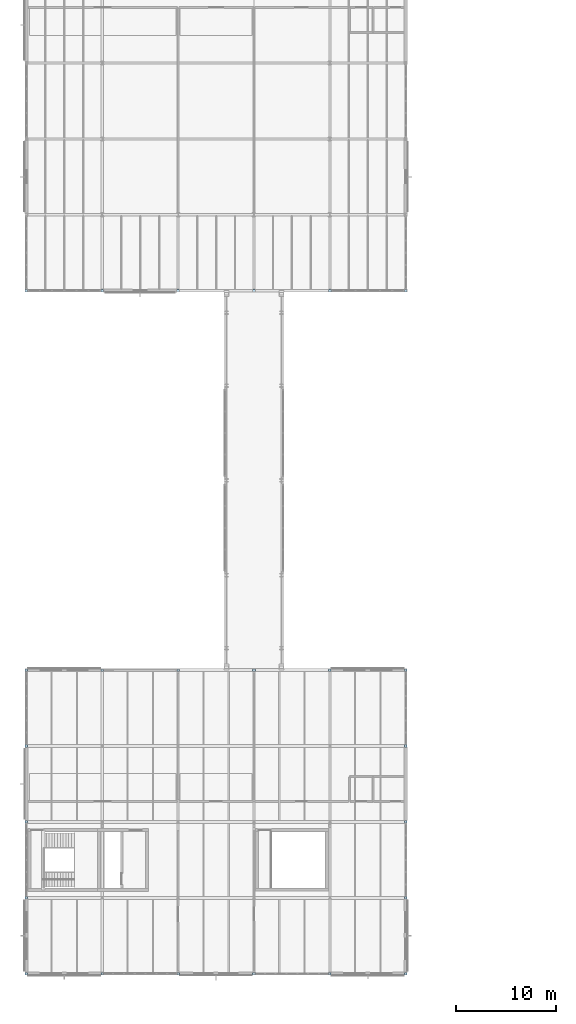
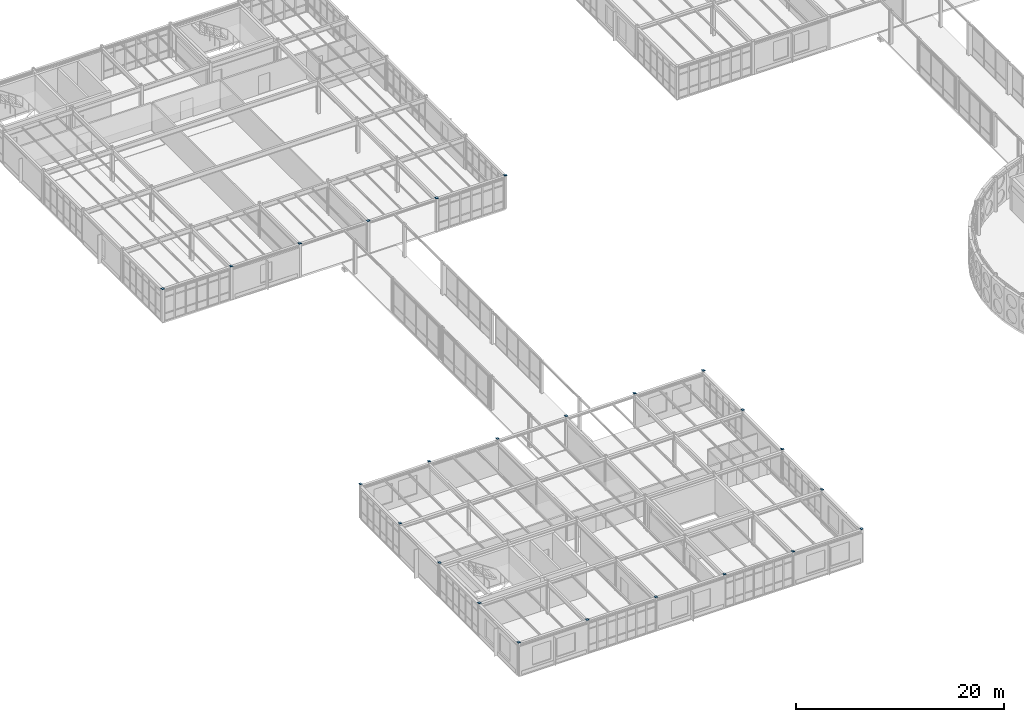
# One storey, part 154 of 189: 24 plates.
"""IFC4 building model written with IfcOpenShell, lengths in metres."""

from ifc_helpers import new_model, si_unit, direction, frame, origin, origin_2d, place, context, subcontext, project, spatial, rectangle, extrude, material, layer, layer_set, type_object, element, save


model = new_model("IFC4")

# Units and contexts
model_context = context("Model", 3, precision=1e-05, world=origin(), true_north=direction((0.0, 1.0)))
body_context = subcontext(model_context, "Body", "Model", "MODEL_VIEW")
ifc_project = project(units=[si_unit("LENGTHUNIT", "METRE"), si_unit("AREAUNIT", "SQUARE_METRE"), si_unit("VOLUMEUNIT", "CUBIC_METRE"), si_unit("PLANEANGLEUNIT", "RADIAN"), si_unit("MASSUNIT", "GRAM", prefix="KILO")], contexts=[model_context])

# Site, building, storey
site_placement = place(None, origin())
site = spatial("IfcSite", under=ifc_project, at=site_placement, CompositionType="ELEMENT")
building_placement = place(site_placement, origin())
building = spatial("IfcBuilding", under=site, at=building_placement, Name="Montecoro Central Library", CompositionType="ELEMENT")
storey_placement = place(building_placement, frame((0.0, 0.0, 9.179931640625)))
storey = spatial("IfcBuildingStorey", under=building, at=storey_placement, Name="L02", CompositionType="ELEMENT", Elevation=9.179931640625)

# Plates
ifc_material = material(Name="Steel S355", Category="steel")
ifc_layer = layer(ifc_material, 0.01611328125)
ifc_layer_set = layer_set([ifc_layer], Name="Steel S355")
plate_type = type_object("IfcPlateType", Name="PLT-CAP-16", PredefinedType="SHEET", material=ifc_layer_set)
for number, where, z_axis, x_axis, name in (
    (1, (5.0, 5.0, 3.9150390625), (0.0, 0.0, 1.0), (1.0, 0.0, 0.0), "V3-L02-CAPPL-1-A"),
    (2, (5.0, 12.60009765625, 3.9150390625), (0.0, 0.0, 1.0), (1.0, 0.0, 0.0), "V3-L02-CAPPL-1-B"),
    (3, (5.0, 20.199951171875, 4.0400390625), (0.0, 0.0, 1.0), (1.0, 0.0, 0.0), "V3-L02-CAPPL-1-C"),
    (4, (5.0, 27.800048828125, 4.0400390625), (0.0, 0.0, 1.0), (1.0, 0.0, 0.0), "V3-L02-CAPPL-1-D"),
    (5, (5.0, 35.39990234375, 4.0400390625), (0.0, 0.0, 1.0), (1.0, 0.0, 0.0), "V3-L02-CAPPL-1-E"),
    (6, (12.60009765625, 5.0, 3.9150390625), (0.0, 0.0, 1.0), (1.0, 0.0, 0.0), "V3-L02-CAPPL-2-A"),
    (7, (12.60009765625, 35.39990234375, 4.0400390625), (0.0, 0.0, 1.0), (1.0, 0.0, 0.0), "V3-L02-CAPPL-2-E"),
    (8, (20.199951171875, 5.0, 3.9150390625), (0.0, 0.0, 1.0), (1.0, 0.0, 0.0), "V3-L02-CAPPL-3-A"),
    (9, (20.199951171875, 35.39990234375, 4.0400390625), (0.0, 0.0, 1.0), (1.0, 0.0, 0.0), "V3-L02-CAPPL-3-E"),
    (10, (27.800048828125, 5.0, 3.9150390625), (0.0, 0.0, 1.0), (1.0, 0.0, 0.0), "V3-L02-CAPPL-4-A"),
    (11, (27.800048828125, 35.39990234375, 4.0400390625), (0.0, 0.0, 1.0), (1.0, 0.0, 0.0), "V3-L02-CAPPL-4-E"),
    (12, (35.39990234375, 5.0, 3.9150390625), (0.0, 0.0, 1.0), (1.0, 0.0, 0.0), "V3-L02-CAPPL-5-A"),
    (13, (35.39990234375, 35.39990234375, 4.0400390625), (0.0, 0.0, 1.0), (1.0, 0.0, 0.0), "V3-L02-CAPPL-5-E"),
    (14, (43.0, 5.0, 3.9150390625), (0.0, 0.0, 1.0), (1.0, 0.0, 0.0), "V3-L02-CAPPL-6-A"),
    (15, (43.0, 12.60009765625, 3.9150390625), (0.0, 0.0, 1.0), (1.0, 0.0, 0.0), "V3-L02-CAPPL-6-B"),
    (16, (43.0, 20.199951171875, 4.0400390625), (0.0, 0.0, 1.0), (1.0, 0.0, 0.0), "V3-L02-CAPPL-6-C"),
    (17, (43.0, 27.800048828125, 4.0400390625), (0.0, 0.0, 1.0), (1.0, 0.0, 0.0), "V3-L02-CAPPL-6-D"),
    (18, (43.0, 35.39990234375, 4.0400390625), (0.0, 0.0, 1.0), (1.0, 0.0, 0.0), "V3-L02-CAPPL-6-E"),
):
    element("IfcPlate", number, at=place(storey_placement, frame(where, z_axis=z_axis, x_axis=x_axis)), inside=storey, type_object=plate_type, Name=name, PredefinedType="SHEET", context=body_context, shape_type="SweptSolid", body=[
        extrude(rectangle(XDim=0.260009765625, YDim=0.260009765625, at=origin_2d()), origin(), (0.0, 0.0, 1.0), 0.01611328125),
    ])
for number, where, z_axis, x_axis, name in (
    (19, (5.0, 73.39990234375, 3.864990234375), (0.0, 0.0, 1.0), (1.0, 0.0, 0.0), "V4-L02-CAPPL-1-K"),
    (20, (12.60009765625, 73.39990234375, 3.864990234375), (0.0, 0.0, 1.0), (1.0, 0.0, 0.0), "V4-L02-CAPPL-2-K"),
    (21, (20.199951171875, 73.39990234375, 3.864990234375), (0.0, 0.0, 1.0), (1.0, 0.0, 0.0), "V4-L02-CAPPL-3-K"),
    (22, (27.800048828125, 73.39990234375, 3.864990234375), (0.0, 0.0, 1.0), (1.0, 0.0, 0.0), "V4-L02-CAPPL-4-K"),
    (23, (35.39990234375, 73.39990234375, 3.864990234375), (0.0, 0.0, 1.0), (1.0, 0.0, 0.0), "V4-L02-CAPPL-5-K"),
    (24, (43.0, 73.39990234375, 3.864990234375), (0.0, 0.0, 1.0), (1.0, 0.0, 0.0), "V4-L02-CAPPL-6-K"),
):
    element("IfcPlate", number, at=place(storey_placement, frame(where, z_axis=z_axis, x_axis=x_axis)), inside=storey, type_object=plate_type, Name=name, PredefinedType="SHEET", context=body_context, shape_type="SweptSolid", body=[
        extrude(rectangle(XDim=0.280029296875, YDim=0.280029296875, at=origin_2d()), origin(), (0.0, 0.0, 1.0), 0.01611328125),
    ])

save(model, "model.ifc")
